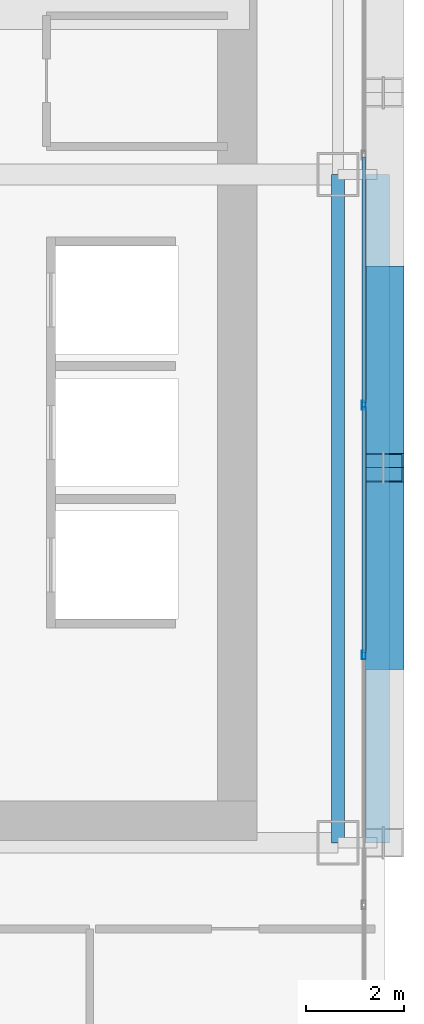
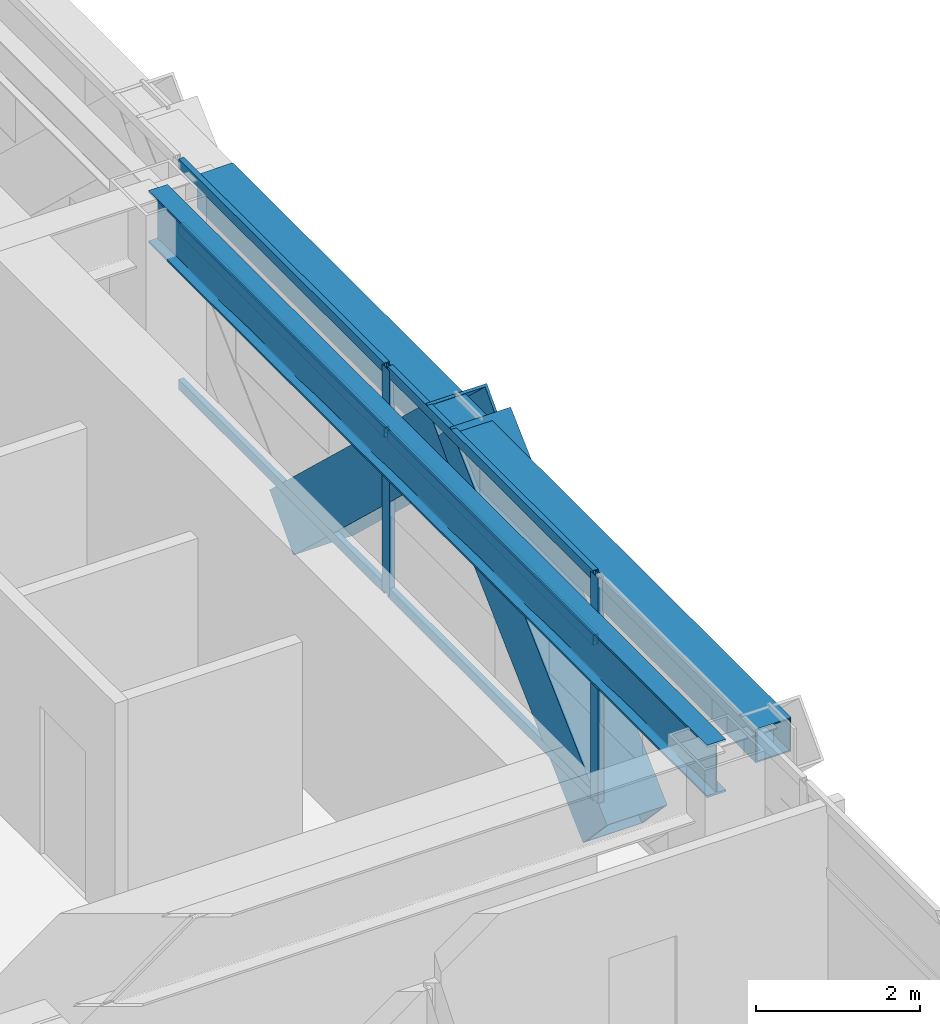
# One storey, part 13 of 38: 10 members, 2 beams, 1 element without a shape of its own.
"""IFC4 building model written with IfcOpenShell, lengths in metres."""

from ifc_helpers import new_model, si_unit, direction, frame, origin, origin_2d, place, context, subcontext, project, spatial, hollow_rectangle, i_section, extrude, source, transform, mapped, material, layer, layer_set, material_profile, profile_set, type_object, element, aggregate, save


model = new_model("IFC4")

# Units and contexts
model_context = context("Model", 3, precision=1e-05, world=origin(), true_north=direction((0.0, 1.0)))
body_context = subcontext(model_context, "Body", "Model", "MODEL_VIEW")
ifc_project = project(units=[si_unit("LENGTHUNIT", "METRE"), si_unit("AREAUNIT", "SQUARE_METRE"), si_unit("VOLUMEUNIT", "CUBIC_METRE"), si_unit("PLANEANGLEUNIT", "RADIAN"), si_unit("MASSUNIT", "GRAM", prefix="KILO")], contexts=[model_context])

# Site, building, storey
site_placement = place(None, origin())
site = spatial("IfcSite", under=ifc_project, at=site_placement, CompositionType="ELEMENT")
building_placement = place(site_placement, origin())
building = spatial("IfcBuilding", under=site, at=building_placement, Name="Ocotamira Hotel", CompositionType="ELEMENT")
storey_placement = place(building_placement, frame((0.0, 0.0, 74.39990234375)))
storey = spatial("IfcBuildingStorey", under=building, at=storey_placement, Name="L18", CompositionType="ELEMENT", Elevation=74.39990234375)

# Beams
ifc_material_1 = material(Name="Steel ASTM A992 Grade 50", Category="steel")
ifc_material_profile_1 = material_profile(ifc_material_1, i_section(OverallWidth=0.26611328125, OverallDepth=0.779052734375, WebThickness=0.0166015625, FlangeThickness=0.030029296875, FilletRadius=0.01806640625, at=origin_2d()), Name="W30X148")
ifc_profile_set_1 = profile_set([ifc_material_profile_1], Name="Steel ASTM A992 Grade 50")
beam_type_1 = type_object("IfcBeamType", Name="BM-GIRD-W30X148", PredefinedType="BEAM", material=ifc_profile_set_1)
shared_shape_1 = source(origin(), body_context, "Body", "SweptSolid", [
    extrude(i_section(OverallWidth=0.26611328125, OverallDepth=0.779052734375, WebThickness=0.0166015625, FlangeThickness=0.030029296875, FilletRadius=0.01806640625, at=origin_2d()), origin(), (0.0, 0.0, 1.0), 13.599853515625),
])
beam_1_placement = place(storey_placement, frame((55.050048828125, 14.550048828125, 2.960693359375), z_axis=(0.0, 1.0, 0.0), x_axis=(-1.0, 0.0, 0.0)))
element("IfcBeam", 1, at=beam_1_placement, inside=storey, type_object=beam_type_1, Name="L18 Beam X55.05 Y14.55-28.15", PredefinedType="BEAM", context=body_context, shape_type="MappedRepresentation", body=[
    mapped(shared_shape_1, transform((0.0, 0.0, 0.0), scale=1.0)),
])
ifc_material_2 = material(Name="Steel ASTM A500 Grade C", Category="steel")
ifc_material_profile_2 = material_profile(ifc_material_2, hollow_rectangle(XDim=0.5, YDim=0.5, WallThickness=0.02001953125, at=origin_2d()), Name="HSS500X500X20")
ifc_profile_set_2 = profile_set([ifc_material_profile_2], Name="Steel ASTM A500 Grade C")
beam_type_2 = type_object("IfcBeamType", Name="BM-SPAN-HSS500", PredefinedType="USERDEFINED", material=ifc_profile_set_2)
shared_shape_2 = source(origin(), body_context, "Body", "SweptSolid", [
    extrude(hollow_rectangle(XDim=0.5, YDim=0.5, WallThickness=0.02001953125, at=origin_2d()), origin(), (0.0, 0.0, 1.0), 13.599853515625),
])
beam_2_placement = place(storey_placement, frame((55.85009765625, 14.550048828125, 3.10009765625), z_axis=(0.0, 1.0, 0.0), x_axis=(-1.0, 0.0, 0.0)))
element("IfcBeam", 2, at=beam_2_placement, inside=storey, type_object=beam_type_2, Name="L18 Edge Spandrel E Y14.55-28.15", ObjectType="SPANDREL", PredefinedType="USERDEFINED", context=body_context, shape_type="MappedRepresentation", body=[
    mapped(shared_shape_2, transform((0.0, 0.0, 0.0), scale=1.0)),
])

# Members
ifc_material_3 = material(Name="Pale-metal coated steel ASTM A913 Grade 65", Category="steel")
ifc_material_profile_3 = material_profile(ifc_material_3, hollow_rectangle(XDim=0.85009765625, YDim=0.85009765625, WallThickness=0.035888671875, at=origin_2d()), Name="BOX850X850X36")
ifc_profile_set_3 = profile_set([ifc_material_profile_3], Name="Pale-metal coated steel ASTM A913 Grade 65")
member_type_1 = type_object("IfcMemberType", Name="MEM-EXO-BOX850", PredefinedType="BRACE", material=ifc_profile_set_3)
shared_shape_3 = source(origin(), body_context, "Body", "SweptSolid", [
    extrude(hollow_rectangle(XDim=0.85009765625, YDim=0.85009765625, WallThickness=0.035888671875, at=origin_2d()), origin(), (0.0, 0.0, 1.0), 5.24658203125),
])
for number, where, z_axis, x_axis, name in (
    (3, (55.969970703125, 18.36669921875, -0.5), (0.0, 0.727442733726, 0.686168397078), (-1.0, 0.0, 0.0), "L18 Exoskeleton Diagrid E0.2"),
    (4, (55.969970703125, 26.0, -0.5), (0.0, -0.727442733726, 0.686168397078), (1.0, 0.0, 0.0), "L18 Exoskeleton Diagrid E1.1"),
):
    element("IfcMember", number, at=place(storey_placement, frame(where, z_axis=z_axis, x_axis=x_axis)), inside=storey, type_object=member_type_1, Name=name, PredefinedType="BRACE", context=body_context, shape_type="MappedRepresentation", body=[
        mapped(shared_shape_3, transform((0.0, 0.0, 0.0), scale=1.0)),
    ])

# Curtain wall, members
ifc_material_4 = material(Name="Anodised pale-metal aluminium and solar glass", Category="aluminium")
ifc_layer = layer(ifc_material_4, 0.179931640625)
ifc_layer_set = layer_set([ifc_layer], Name="Anodised pale-metal aluminium and solar glass")
curtain_wall_type = type_object("IfcCurtainWallType", Name="CW-SYS2-Z1", PredefinedType="NOTDEFINED", material=ifc_layer_set)
curtain_wall_placement = place(storey_placement, origin())
curtain_wall = element("IfcCurtainWall", 5, at=curtain_wall_placement, inside=storey, type_object=curtain_wall_type, Name="L18 Curtain Wall CW-2 CW-L18-E", PredefinedType="NOTDEFINED")
ifc_material_5 = material(Name="Anodised pale-metal aluminium 6063-T6", Category="aluminium")
ifc_material_profile_4 = material_profile(ifc_material_5, hollow_rectangle(XDim=0.074951171875, YDim=0.14990234375, WallThickness=0.006103515625, at=origin_2d()), Name="HSS150X75X6")
ifc_profile_set_4 = profile_set([ifc_material_profile_4], Name="Anodised pale-metal aluminium 6063-T6")
member_type_2 = type_object("IfcMemberType", Name="CWT-150X75", PredefinedType="USERDEFINED", material=ifc_profile_set_4)
shared_shape_4 = source(origin(), body_context, "Body", "SweptSolid", [
    extrude(hollow_rectangle(XDim=0.074951171875, YDim=0.14990234375, WallThickness=0.006103515625, at=origin_2d()), origin(), (0.0, 0.0, 1.0), 5.005859375),
])
member_1_placement = place(storey_placement, frame((55.580078125, 18.411376953125, 0.03759765625), z_axis=(0.0, 1.0, 0.0), x_axis=(-1.0, 0.0, 0.0)))
member_1 = element("IfcMember", 6, at=member_1_placement, type_object=member_type_2, Name="CW-2 transom 3.1", ObjectType="TRANSOM", PredefinedType="USERDEFINED", context=body_context, shape_type="MappedRepresentation", body=[
    mapped(shared_shape_4, transform((0.0, 0.0, 0.0), scale=1.0)),
])
member_2_placement = place(storey_placement, frame((55.580078125, 18.411376953125, 2.35009765625), z_axis=(0.0, 1.0, 0.0), x_axis=(-1.0, 0.0, 0.0)))
member_2 = element("IfcMember", 7, at=member_2_placement, type_object=member_type_2, Name="CW-2 transom 3.2", ObjectType="TRANSOM", PredefinedType="USERDEFINED", context=body_context, shape_type="MappedRepresentation", body=[
    mapped(shared_shape_4, transform((0.0, 0.0, 0.0), scale=1.0)),
])
member_3_placement = place(storey_placement, frame((55.580078125, 18.411376953125, 3.3125), z_axis=(0.0, 1.0, 0.0), x_axis=(-1.0, 0.0, 0.0)))
member_3 = element("IfcMember", 8, at=member_3_placement, type_object=member_type_2, Name="CW-2 transom 3.3", ObjectType="TRANSOM", PredefinedType="USERDEFINED", context=body_context, shape_type="MappedRepresentation", body=[
    mapped(shared_shape_4, transform((0.0, 0.0, 0.0), scale=1.0)),
])
member_4_placement = place(storey_placement, frame((55.580078125, 23.4970703125, 0.03759765625), z_axis=(0.0, 1.0, 0.0), x_axis=(-1.0, 0.0, 0.0)))
member_4 = element("IfcMember", 9, at=member_4_placement, type_object=member_type_2, Name="CW-2 transom 4.1", ObjectType="TRANSOM", PredefinedType="USERDEFINED", context=body_context, shape_type="MappedRepresentation", body=[
    mapped(shared_shape_4, transform((0.0, 0.0, 0.0), scale=1.0)),
])
member_5_placement = place(storey_placement, frame((55.580078125, 23.4970703125, 2.35009765625), z_axis=(0.0, 1.0, 0.0), x_axis=(-1.0, 0.0, 0.0)))
member_5 = element("IfcMember", 10, at=member_5_placement, type_object=member_type_2, Name="CW-2 transom 4.2", ObjectType="TRANSOM", PredefinedType="USERDEFINED", context=body_context, shape_type="MappedRepresentation", body=[
    mapped(shared_shape_4, transform((0.0, 0.0, 0.0), scale=1.0)),
])
member_6_placement = place(storey_placement, frame((55.580078125, 23.4970703125, 3.3125), z_axis=(0.0, 1.0, 0.0), x_axis=(-1.0, 0.0, 0.0)))
member_6 = element("IfcMember", 11, at=member_6_placement, type_object=member_type_2, Name="CW-2 transom 4.3", ObjectType="TRANSOM", PredefinedType="USERDEFINED", context=body_context, shape_type="MappedRepresentation", body=[
    mapped(shared_shape_4, transform((0.0, 0.0, 0.0), scale=1.0)),
])
ifc_material_profile_5 = material_profile(ifc_material_5, hollow_rectangle(XDim=0.080078125, YDim=0.179931640625, WallThickness=0.006103515625, at=origin_2d()), Name="HSS180X80X6")
ifc_profile_set_5 = profile_set([ifc_material_profile_5], Name="Anodised pale-metal aluminium 6063-T6")
member_type_3 = type_object("IfcMemberType", Name="CWM-180X75", PredefinedType="MULLION", material=ifc_profile_set_5)
shared_shape_5 = source(origin(), body_context, "Body", "SweptSolid", [
    extrude(hollow_rectangle(XDim=0.080078125, YDim=0.179931640625, WallThickness=0.006103515625, at=origin_2d()), origin(), (0.0, 0.0, 1.0), 3.35009765625),
])
member_7_placement = place(storey_placement, frame((55.580078125, 18.371337890625, 0.0), z_axis=(0.0, 0.0, 1.0), x_axis=(-1.0, 0.0, 0.0)))
member_7 = element("IfcMember", 12, at=member_7_placement, type_object=member_type_3, Name="CW-2 mullion 3", PredefinedType="MULLION", context=body_context, shape_type="MappedRepresentation", body=[
    mapped(shared_shape_5, transform((0.0, 0.0, 0.0), scale=1.0)),
])
member_8_placement = place(storey_placement, frame((55.580078125, 23.45703125, 0.0), z_axis=(0.0, 0.0, 1.0), x_axis=(-1.0, 0.0, 0.0)))
member_8 = element("IfcMember", 13, at=member_8_placement, type_object=member_type_3, Name="CW-2 mullion 4", PredefinedType="MULLION", context=body_context, shape_type="MappedRepresentation", body=[
    mapped(shared_shape_5, transform((0.0, 0.0, 0.0), scale=1.0)),
])
aggregate(curtain_wall, [member_7, member_8, member_1, member_2, member_3, member_4, member_5, member_6])

save(model, "model.ifc")
